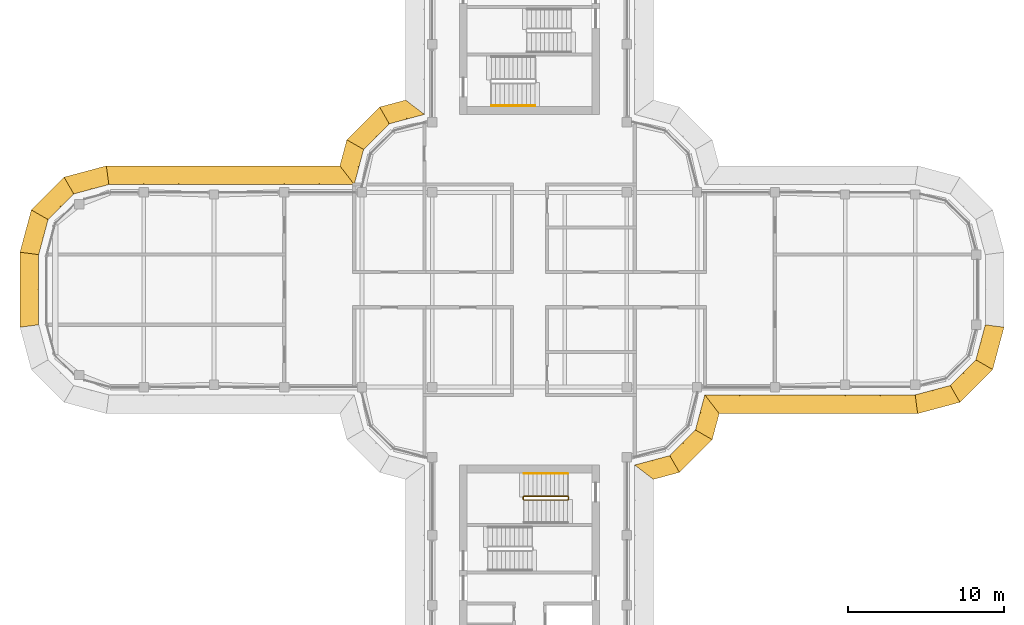
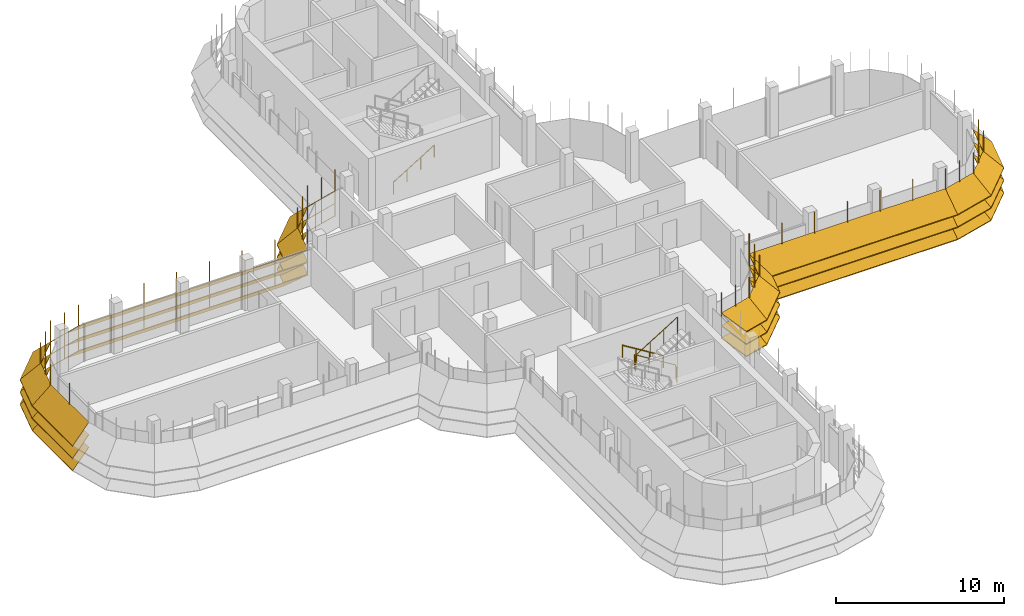
# One storey, part 17 of 19: 7 shading devices, 3 railings.
"""IFC4 building model written with IfcOpenShell, lengths in metres."""

import ifcopenshell
import ifcopenshell.guid

model = None  # the IFC model being written
_history = None  # IfcOwnerHistory: only IFC2X3 demands one
_inside = {}  # id of a spatial element -> (the spatial element, [elements in it])
_under = {}  # id of a project, library or spatial element -> (it, [spatial elements below it])
_declared = {}  # id of a project -> (the project, [libraries it declares])
_typed = {}  # id of a type object -> (the type object, [elements of that type])
_made_of = {}  # id of a material, layer set ... -> (it, [elements and type objects made of it])


def new_model(schema):
    """Start an empty IFC model of exactly this schema.

    Asked for "IFC4X3", IfcOpenShell would pick the latest addendum, in which some entities
    have other attributes; the version numbers below select the first issue.
    IFC2X3 requires an IfcOwnerHistory on every rooted entity: one is made here for all.
    """
    global model, _history
    if schema == "IFC4X3":
        model = ifcopenshell.file(schema_version=(4, 3, 0, 0))
    else:
        model = ifcopenshell.file(schema=schema)
    _inside.clear()
    _under.clear()
    _declared.clear()
    _typed.clear()
    _made_of.clear()
    _history = None
    if model.schema == "IFC2X3":
        org = make("IfcOrganization", Name="unknown")
        user = make(
            "IfcPersonAndOrganization",
            ThePerson=make("IfcPerson", FamilyName="unknown"),
            TheOrganization=org,
        )
        app = make(
            "IfcApplication",
            ApplicationDeveloper=org,
            Version="unknown",
            ApplicationFullName="unknown",
            ApplicationIdentifier="unknown",
        )
        _history = make(
            "IfcOwnerHistory",
            OwningUser=user,
            OwningApplication=app,
            ChangeAction="ADDED",
            CreationDate=0,
        )
    return model


def make(cls, **values):
    """One entity of the class cls with the attributes given. An attribute that is None is left unset."""
    return model.create_entity(
        cls, **{name: value for name, value in values.items() if value is not None}
    )


def rooted(cls, **values):
    """An entity with a GlobalId (a new one), such as an element, a storey or a relation."""
    return make(cls, GlobalId=ifcopenshell.guid.new(), OwnerHistory=_history, **values)


def si_unit(unit_type, name, prefix=None):
    """IfcSIUnit, for example si_unit("LENGTHUNIT", "METRE", prefix="MILLI")."""
    return make("IfcSIUnit", UnitType=unit_type, Prefix=prefix, Name=name)


def assignment(units):
    """IfcUnitAssignment: the units of a project."""
    return None if units is None else make("IfcUnitAssignment", Units=units)


def point(xyz):
    """IfcCartesianPoint."""
    return None if xyz is None else make("IfcCartesianPoint", Coordinates=xyz)


def direction(xyz):
    """IfcDirection."""
    return None if xyz is None else make("IfcDirection", DirectionRatios=xyz)


def frame(location, z_axis=None, x_axis=None):
    """IfcAxis2Placement3D, a coordinate frame: its origin and axes. An axis left out is left unset."""
    return make(
        "IfcAxis2Placement3D",
        Location=point(location),
        Axis=direction(z_axis),
        RefDirection=direction(x_axis),
    )


def frame_2d(location, x_axis=None):
    """IfcAxis2Placement2D, a coordinate frame in the plane: its origin and x axis."""
    return make(
        "IfcAxis2Placement2D", Location=point(location), RefDirection=direction(x_axis)
    )


def origin():
    """The frame at (0, 0, 0) with its axes left unset."""
    return frame((0.0, 0.0, 0.0))


def origin_2d():
    """The frame at (0, 0) in the plane with its x axis left unset."""
    return frame_2d((0.0, 0.0))


def place(relative_to, where):
    """IfcLocalPlacement: puts the frame where relative to a parent placement (None: the world)."""
    return make(
        "IfcLocalPlacement", PlacementRelTo=relative_to, RelativePlacement=where
    )


def context(
    kind, dimensions, precision=None, world=None, true_north=None, identifier=None
):
    """IfcGeometricRepresentationContext, for example the 3D "Model" context."""
    return make(
        "IfcGeometricRepresentationContext",
        ContextIdentifier=identifier,
        ContextType=kind,
        CoordinateSpaceDimension=dimensions,
        Precision=precision,
        WorldCoordinateSystem=world,
        TrueNorth=true_north,
    )


def subcontext(parent, identifier, kind, view, scale=None):
    """IfcGeometricRepresentationSubContext, for example "Body" below "Model"."""
    return make(
        "IfcGeometricRepresentationSubContext",
        ContextIdentifier=identifier,
        ContextType=kind,
        ParentContext=parent,
        TargetScale=scale,
        TargetView=view,
    )


def project(units=None, contexts=None):
    """IfcProject with its units and contexts."""
    return rooted(
        "IfcProject",
        Name="project",
        RepresentationContexts=contexts,
        UnitsInContext=assignment(units),
    )


def spatial(cls, under=None, at=None, **own):
    """A site, building, storey or space (cls), placed at a placement, below another one or the project."""
    s = rooted(cls, ObjectPlacement=at, **own)
    if under is not None:
        _under.setdefault(under.id(), (under, []))[1].append(s)
    return s


def polyline(points):
    """IfcPolyline through the points."""
    return make("IfcPolyline", Points=[point(p) for p in points])


def profile(cls, at=None, kind="AREA", **sizes):
    """A parametric profile (cls). Its sizes go by their IFC names, for example OverallWidth=200.0."""
    return make(cls, ProfileType=kind, Position=at, **sizes)


def circle(**sizes):
    """IfcCircleProfileDef."""
    return profile("IfcCircleProfileDef", **sizes)


def outline(outer, holes=None, kind="AREA"):
    """IfcArbitraryClosedProfileDef: a profile drawn as a closed curve; with holes, ...WithVoids."""
    if holes is None:
        return make("IfcArbitraryClosedProfileDef", ProfileType=kind, OuterCurve=outer)
    return make(
        "IfcArbitraryProfileDefWithVoids",
        ProfileType=kind,
        OuterCurve=outer,
        InnerCurves=holes,
    )


def extrude(swept, where, along, depth):
    """IfcExtrudedAreaSolid: the profile swept, set in the frame where, extruded along a direction by depth."""
    return make(
        "IfcExtrudedAreaSolid",
        SweptArea=swept,
        Position=where,
        ExtrudedDirection=direction(along),
        Depth=depth,
    )


def faces_of(points, faces, orient=None, outer=None):
    """IfcFace entities. A face is a list of loops; a loop is a list of indices into points, from 0.

    orient and outer hold one flag for each loop. By default every Orientation is true, the
    first loop of a face is its IfcFaceOuterBound and the others are IfcFaceBound.
    """
    made = []
    for i, loops in enumerate(faces):
        bounds = []
        for j, loop in enumerate(loops):
            is_outer = j == 0 if outer is None else outer[i][j]
            bounds.append(
                make(
                    "IfcFaceOuterBound" if is_outer else "IfcFaceBound",
                    Bound=make("IfcPolyLoop", Polygon=[points[k] for k in loop]),
                    Orientation=True if orient is None else orient[i][j],
                )
            )
        made.append(make("IfcFace", Bounds=bounds))
    return made


def faceted_brep(points, faces, orient=None, outer=None, voids=None):
    """IfcFacetedBrep: a solid bounded by flat faces; with voids (closed shells), ...WithVoids."""
    shared = [point(p) for p in points]
    hull = make("IfcClosedShell", CfsFaces=faces_of(shared, faces, orient, outer))
    if voids is None:
        return make("IfcFacetedBrep", Outer=hull)
    return make(
        "IfcFacetedBrepWithVoids",
        Outer=hull,
        Voids=[
            make(cls, CfsFaces=faces_of(shared, fs, o, b)) for cls, fs, o, b in voids
        ],
    )


def shape(context_of_items, identifier, shape_type, items):
    """IfcShapeRepresentation: the items that make up one representation, for example the "Body"."""
    return make(
        "IfcShapeRepresentation",
        ContextOfItems=context_of_items,
        RepresentationIdentifier=identifier,
        RepresentationType=shape_type,
        Items=items,
    )


def source(mapping_origin, context_of_items, identifier, shape_type, items):
    """IfcRepresentationMap: a shape defined once, which mapped items show again and again."""
    return make(
        "IfcRepresentationMap",
        MappingOrigin=mapping_origin,
        MappedRepresentation=shape(context_of_items, identifier, shape_type, items),
    )


def transform(
    local_origin,
    x_axis=None,
    y_axis=None,
    z_axis=None,
    scale=None,
    scale2=None,
    scale3=None,
    uniform=True,
):
    """IfcCartesianTransformationOperator3D, or its non-uniform kind. x_axis, y_axis, z_axis: its Axis1, 2, 3."""
    if uniform:
        return make(
            "IfcCartesianTransformationOperator3D",
            Axis1=direction(x_axis),
            Axis2=direction(y_axis),
            LocalOrigin=point(local_origin),
            Scale=scale,
            Axis3=direction(z_axis),
        )
    return make(
        "IfcCartesianTransformationOperator3DnonUniform",
        Axis1=direction(x_axis),
        Axis2=direction(y_axis),
        LocalOrigin=point(local_origin),
        Scale=scale,
        Axis3=direction(z_axis),
        Scale2=scale2,
        Scale3=scale3,
    )


def mapped(mapping_source, mapping_target):
    """IfcMappedItem: shows the shape of a source again, moved by a transform."""
    return make(
        "IfcMappedItem", MappingSource=mapping_source, MappingTarget=mapping_target
    )


def material(Name=None, Category=None):
    """IfcMaterial."""
    return make("IfcMaterial", Name=Name, Category=Category)


def made_of(thing, what):
    """Note that an element or type object is made of a material, layer set ...; save() writes the relation."""
    if what is not None:
        _made_of.setdefault(what.id(), (what, []))[1].append(thing)
    return thing


def type_object(cls, material=None, **own):
    """A type object (cls), such as IfcWallType, which elements share."""
    return made_of(rooted(cls, **own), material)


def element(
    cls,
    number,
    at=None,
    inside=None,
    cuts=None,
    type_object=None,
    material=None,
    context=None,
    identifier="Body",
    shape_type=None,
    held_by="IfcProductDefinitionShape",
    body=None,
    shapes=None,
    **own,
):
    """One element of the class cls, such as IfcWall. Its Tag is "e" and its number.

    at: its placement. inside: the storey or other place that contains it. cuts: it is an
    opening in that element (IfcRelVoidsElement). A single representation is given by context,
    identifier, shape_type and body (its items); several are given by shapes. held_by: the class
    of the entity that holds the representations. save() writes the other relations.
    """
    e = rooted(cls, Tag="e%d" % number, ObjectPlacement=at, **own)
    if body is not None:
        shapes = [shape(context, identifier, shape_type, body)]
    if shapes is not None:
        e.Representation = make(held_by, Representations=shapes)
    if inside is not None:
        _inside.setdefault(inside.id(), (inside, []))[1].append(e)
    if cuts is not None:
        rooted(
            "IfcRelVoidsElement", RelatingBuildingElement=cuts, RelatedOpeningElement=e
        )
    if type_object is not None:
        _typed.setdefault(type_object.id(), (type_object, []))[1].append(e)
    return made_of(e, material)


def aggregate(whole, parts):
    """IfcRelAggregates: a whole, such as a stair, and the parts it consists of."""
    return rooted("IfcRelAggregates", RelatingObject=whole, RelatedObjects=parts)


def save(model, path):
    """Write the relations noted so far, then the file.

    IfcRelAggregates (storeys below a building ...), IfcRelContainedInSpatialStructure (elements
    in a storey), IfcRelDefinesByType, IfcRelAssociatesMaterial and IfcRelDeclares: one each for
    every whole, place, type object, material and project.
    """
    for whole, parts in _under.values():
        aggregate(whole, parts)
    for where, things in _inside.values():
        rooted(
            "IfcRelContainedInSpatialStructure",
            RelatedElements=things,
            RelatingStructure=where,
        )
    for kind, things in _typed.values():
        rooted("IfcRelDefinesByType", RelatedObjects=things, RelatingType=kind)
    for what, things in _made_of.values():
        rooted("IfcRelAssociatesMaterial", RelatedObjects=things, RelatingMaterial=what)
    for by, libraries in _declared.values():
        rooted("IfcRelDeclares", RelatingContext=by, RelatedDefinitions=libraries)
    model.write(path)


model = new_model("IFC4")

# Units and contexts
model_context = context("Model", 3, precision=1e-05, world=origin(), true_north=direction((0.0, 1.0)))
body_context = subcontext(model_context, "Body", "Model", "MODEL_VIEW")
ifc_project = project(units=[si_unit("LENGTHUNIT", "METRE"), si_unit("AREAUNIT", "SQUARE_METRE"), si_unit("VOLUMEUNIT", "CUBIC_METRE"), si_unit("PLANEANGLEUNIT", "RADIAN"), si_unit("MASSUNIT", "GRAM", prefix="KILO")], contexts=[model_context])

# Site, building, storey
site_placement = place(None, origin())
site = spatial("IfcSite", under=ifc_project, at=site_placement, CompositionType="ELEMENT")
building_placement = place(site_placement, origin())
building = spatial("IfcBuilding", under=site, at=building_placement, Name="Zarbagh Exchange Tower", CompositionType="ELEMENT")
storey_placement = place(building_placement, frame((0.0, 0.0, 265.0)))
storey = spatial("IfcBuildingStorey", under=building, at=storey_placement, Name="L65", CompositionType="ELEMENT", Elevation=265.0)

# Railings
ifc_material_1 = material(Name="Stainless steel", Category="steel")
railing_type_1 = type_object("IfcRailingType", Name="Stair guard 1100 mm", PredefinedType="GUARDRAIL", material=ifc_material_1)
railing_1_placement = place(storey_placement, frame((-0.35009765625, -13.5, 2.07275390625)))
element("IfcRailing", 1, at=railing_1_placement, inside=storey, type_object=railing_type_1, Name="ST4 stair guard 1", PredefinedType="GUARDRAIL", context=body_context, shape_type="SweptSolid", body=[
    extrude(circle(Radius=0.02392578125, at=origin_2d()), frame((0.0, 0.0, 1.076171875), z_axis=(0.851089632645, 0.0, 0.525020415988), x_axis=(0.0, 1.0, 0.0)), (0.0, 0.0, 1.0), 3.2900390625),
    extrude(circle(Radius=0.02392578125, at=origin_2d()), frame((2.800048828125, 0.0, 2.80322265625), z_axis=(0.013168290981, 0.013168290981, -0.999826581076), x_axis=(-0.707106781187, 0.707106781187, 0.0)), (0.0, 0.0, 1.0), 3.80078125),
    extrude(circle(Radius=0.02392578125, at=origin_2d()), frame((2.85009765625, 0.050048828125, -0.99658203125), z_axis=(0.0, 1.0, 0.0), x_axis=(-1.0, 0.0, 0.0)), (0.0, 0.0, 1.0), 0.14990234375),
    extrude(circle(Radius=0.02392578125, at=origin_2d()), frame((2.85009765625, 0.199951171875, -0.99658203125), z_axis=(-0.268277960024, 0.268277960024, 0.925231793839), x_axis=(-0.707106781187, -0.707106781187, 0.0)), (0.0, 0.0, 1.0), 0.1865234375),
    extrude(circle(Radius=0.02392578125, at=origin_2d()), frame((2.800048828125, 0.25, -0.82421875), z_axis=(-0.851089632645, 0.0, 0.525020415988), x_axis=(0.0, -1.0, 0.0)), (0.0, 0.0, 1.0), 3.2900390625),
    extrude(circle(Radius=0.02392578125, at=origin_2d()), frame((0.0, 0.25, 0.9033203125), z_axis=(-0.705375805398, -0.708833529934, 0.0), x_axis=(0.708833529934, -0.705375805398, 0.0)), (0.0, 0.0, 1.0), 0.070556640625),
    extrude(circle(Radius=0.02392578125, at=origin_2d()), frame((-0.0498046875, 0.199951171875, 0.9033203125), z_axis=(0.0, -1.0, 0.0), x_axis=(1.0, 0.0, 0.0)), (0.0, 0.0, 1.0), 0.14990234375),
    extrude(circle(Radius=0.02099609375, at=origin_2d()), origin(), (0.0, 0.0, 1.0), 1.052001953125),
    extrude(circle(Radius=0.02099609375, at=origin_2d()), frame((0.933349609375, 0.0, 0.57568359375)), (0.0, 0.0, 1.0), 1.052001953125),
    extrude(circle(Radius=0.02099609375, at=origin_2d()), frame((1.86669921875, 0.0, 1.151611328125)), (0.0, 0.0, 1.0), 1.052001953125),
    extrude(circle(Radius=0.02099609375, at=origin_2d()), frame((2.800048828125, 0.0, 1.727294921875)), (0.0, 0.0, 1.0), 1.052001953125),
    extrude(circle(Radius=0.02099609375, at=origin_2d()), frame((2.8125, 0.012451171875, 0.77734375)), (0.0, 0.0, 1.0), 1.052001953125),
    extrude(circle(Radius=0.02099609375, at=origin_2d()), frame((2.8251953125, 0.02490234375, -0.1728515625)), (0.0, 0.0, 1.0), 1.052001953125),
    extrude(circle(Radius=0.02099609375, at=origin_2d()), frame((2.837646484375, 0.03759765625, -1.122802734375)), (0.0, 0.0, 1.0), 1.052001953125),
    extrude(circle(Radius=0.02099609375, at=origin_2d()), frame((2.85009765625, 0.050048828125, -2.07275390625)), (0.0, 0.0, 1.0), 1.052001953125),
    extrude(circle(Radius=0.02099609375, at=origin_2d()), frame((2.85009765625, 0.199951171875, -2.07275390625)), (0.0, 0.0, 1.0), 1.052001953125),
    extrude(circle(Radius=0.02099609375, at=origin_2d()), frame((2.800048828125, 0.25, -1.900146484375)), (0.0, 0.0, 1.0), 1.052001953125),
    extrude(circle(Radius=0.02099609375, at=origin_2d()), frame((1.86669921875, 0.25, -1.324462890625)), (0.0, 0.0, 1.0), 1.052001953125),
    extrude(circle(Radius=0.02099609375, at=origin_2d()), frame((0.933349609375, 0.25, -0.74853515625)), (0.0, 0.0, 1.0), 1.052001953125),
    extrude(circle(Radius=0.02099609375, at=origin_2d()), frame((0.0, 0.25, -0.1728515625)), (0.0, 0.0, 1.0), 1.052001953125),
    extrude(circle(Radius=0.02099609375, at=origin_2d()), frame((-0.0498046875, 0.199951171875, -0.1728515625)), (0.0, 0.0, 1.0), 1.052001953125),
    extrude(circle(Radius=0.02099609375, at=origin_2d()), frame((-0.0498046875, 0.050048828125, -0.1728515625)), (0.0, 0.0, 1.0), 1.052001953125),
])
railing_type_2 = type_object("IfcRailingType", Name="Stair handrail 900 mm", PredefinedType="HANDRAIL", material=ifc_material_1)
railing_2_placement = place(storey_placement, frame((-2.449951171875, 11.800048828125, 0.172607421875)))
element("IfcRailing", 2, at=railing_2_placement, inside=storey, type_object=railing_type_2, Name="ST2 stair handrail 1", PredefinedType="HANDRAIL", context=body_context, shape_type="SweptSolid", body=[
    extrude(circle(Radius=0.02392578125, at=origin_2d()), frame((0.0, 0.0, 0.8759765625), z_axis=(0.851089632645, 0.0, 0.525020415988), x_axis=(0.0, 1.0, 0.0)), (0.0, 0.0, 1.0), 3.2900390625),
    extrude(circle(Radius=0.02099609375, at=origin_2d()), origin(), (0.0, 0.0, 1.0), 0.851806640625),
    extrude(circle(Radius=0.02099609375, at=origin_2d()), frame((0.933349609375, 0.0, 0.57568359375)), (0.0, 0.0, 1.0), 0.851806640625),
    extrude(circle(Radius=0.02099609375, at=origin_2d()), frame((1.86669921875, 0.0, 1.151611328125)), (0.0, 0.0, 1.0), 0.851806640625),
    extrude(circle(Radius=0.02099609375, at=origin_2d()), frame((2.800048828125, 0.0, 1.727294921875)), (0.0, 0.0, 1.0), 0.851806640625),
])
railing_3_placement = place(storey_placement, frame((2.449951171875, -11.800048828125, 0.172607421875)))
element("IfcRailing", 3, at=railing_3_placement, inside=storey, type_object=railing_type_2, Name="ST4 stair handrail 1", PredefinedType="HANDRAIL", context=body_context, shape_type="SweptSolid", body=[
    extrude(circle(Radius=0.02392578125, at=origin_2d()), frame((0.0, 0.0, 0.8759765625), z_axis=(-0.851089632645, 0.0, 0.525020415988), x_axis=(0.0, -1.0, 0.0)), (0.0, 0.0, 1.0), 3.2900390625),
    extrude(circle(Radius=0.02099609375, at=origin_2d()), origin(), (0.0, 0.0, 1.0), 0.851806640625),
    extrude(circle(Radius=0.02099609375, at=origin_2d()), frame((-0.933349609375, 0.0, 0.57568359375)), (0.0, 0.0, 1.0), 0.851806640625),
    extrude(circle(Radius=0.02099609375, at=origin_2d()), frame((-1.86669921875, 0.0, 1.151611328125)), (0.0, 0.0, 1.0), 0.851806640625),
    extrude(circle(Radius=0.02099609375, at=origin_2d()), frame((-2.800048828125, 0.0, 1.727294921875)), (0.0, 0.0, 1.0), 0.851806640625),
])

# Shading devices
ifc_material_2 = material(Name="Anodised aluminium blades and brackets", Category="aluminium")
shading_device_type = type_object("IfcShadingDeviceType", Name="SUNSHADE louvre band, 45 degree blades", PredefinedType="JALOUSIE", material=ifc_material_2)
shared_shape_1 = source(origin(), body_context, "Body", "Brep", [
    faceted_brep([(0.0, 0.0, 0.0), (0.0, 0.0, -0.056640625), (-0.157958984375, -1.199951171875, -1.256591796875), (-0.157958984375, -1.199951171875, -1.199951171875), (2.65087890625, -1.199951171875, -1.199951171875), (2.65087890625, -1.199951171875, -1.256591796875), (2.329345703125, 0.0, -0.056640625), (2.329345703125, 0.0, 0.0)], [[[0, 1, 2, 3]], [[4, 5, 6, 7]], [[0, 7, 6, 1]], [[1, 6, 5, 2]], [[2, 5, 4, 3]], [[3, 4, 7, 0]]]),
])
shared_shape_2 = source(origin(), body_context, "Body", "Brep", [
    faceted_brep([(0.0, 0.0, 0.0), (0.0, 0.0, -0.056640625), (-0.321533203125, -1.199951171875, -1.256591796875), (-0.321533203125, -1.199951171875, -1.199951171875), (2.65087890625, -1.199951171875, -1.199951171875), (2.65087890625, -1.199951171875, -1.256591796875), (2.329345703125, 0.0, -0.056640625), (2.329345703125, 0.0, 0.0)], [[[0, 1, 2, 3]], [[4, 5, 6, 7]], [[0, 7, 6, 1]], [[1, 6, 5, 2]], [[2, 5, 4, 3]], [[3, 4, 7, 0]]]),
])
shared_shape_3 = source(origin(), body_context, "Body", "Brep", [
    faceted_brep([(0.0, 0.0, 0.0), (0.0, 0.0, -0.056640625), (-0.321533203125, -1.199951171875, -1.256591796875), (-0.321533203125, -1.199951171875, -1.199951171875), (2.4873046875, -1.199951171875, -1.199951171875), (2.4873046875, -1.199951171875, -1.256591796875), (2.329345703125, 0.0, -0.056640625), (2.329345703125, 0.0, 0.0)], [[[0, 1, 2, 3]], [[4, 5, 6, 7]], [[0, 7, 6, 1]], [[1, 6, 5, 2]], [[2, 5, 4, 3]], [[3, 4, 7, 0]]]),
])
shared_shape_4 = source(origin(), body_context, "Body", "SweptSolid", [
    extrude(outline(polyline([(0.0, -0.012451171875), (0.06005859375, -0.012451171875), (0.06005859375, 0.012451171875), (0.0, 0.012451171875), (0.0, -0.012451171875)])), origin(), (0.0, 0.0, 1.0), 3.366455078125),
])
placement = place(storey_placement, origin())
element("IfcShadingDevice", 4, at=placement, inside=storey, type_object=shading_device_type, Name="SS51 sunshade band", PredefinedType="JALOUSIE", context=body_context, shape_type="MappedRepresentation", body=[
    mapped(shared_shape_1, transform((24.75, -6.75, 2.300048828125), x_axis=(0.965924289636, 0.258824779902, 0.0), y_axis=(-0.258824779902, 0.965924289636, 0.0), z_axis=(0.0, 0.0, 1.0))),
    mapped(shared_shape_1, transform((24.75, -6.75, 1.39990234375), x_axis=(0.965924289636, 0.258824779902, 0.0), y_axis=(-0.258824779902, 0.965924289636, 0.0), z_axis=(0.0, 0.0, 1.0))),
    mapped(shared_shape_1, transform((24.75, -6.75, 0.5), x_axis=(0.965924289636, 0.258824779902, 0.0), y_axis=(-0.258824779902, 0.965924289636, 0.0), z_axis=(0.0, 0.0, 1.0))),
    mapped(shared_shape_2, transform((27.0, -6.147216796875, 2.300048828125), x_axis=(0.707106781187, 0.707106781187, 0.0), y_axis=(-0.707106781187, 0.707106781187, 0.0), z_axis=(0.0, 0.0, 1.0))),
    mapped(shared_shape_2, transform((27.0, -6.147216796875, 1.39990234375), x_axis=(0.707106781187, 0.707106781187, 0.0), y_axis=(-0.707106781187, 0.707106781187, 0.0), z_axis=(0.0, 0.0, 1.0))),
    mapped(shared_shape_2, transform((27.0, -6.147216796875, 0.5), x_axis=(0.707106781187, 0.707106781187, 0.0), y_axis=(-0.707106781187, 0.707106781187, 0.0), z_axis=(0.0, 0.0, 1.0))),
    mapped(shared_shape_3, transform((28.647216796875, -4.5, 2.300048828125), x_axis=(0.258824779902, 0.965924289636, 0.0), y_axis=(-0.965924289636, 0.258824779902, 0.0), z_axis=(0.0, 0.0, 1.0))),
    mapped(shared_shape_3, transform((28.647216796875, -4.5, 1.39990234375), x_axis=(0.258824779902, 0.965924289636, 0.0), y_axis=(-0.965924289636, 0.258824779902, 0.0), z_axis=(0.0, 0.0, 1.0))),
    mapped(shared_shape_3, transform((28.647216796875, -4.5, 0.5), x_axis=(0.258824779902, 0.965924289636, 0.0), y_axis=(-0.965924289636, 0.258824779902, 0.0), z_axis=(0.0, 0.0, 1.0))),
    mapped(shared_shape_4, transform((24.75, -6.75, 0.413330078125), x_axis=(0.130529263012, -0.991444457092, 0.0), y_axis=(0.991444457092, 0.130529263012, 0.0), z_axis=(0.0, 0.0, 1.0))),
    mapped(shared_shape_4, transform((25.875, -6.448486328125, 0.413330078125), x_axis=(0.258825058029, -0.96592421511, 0.0), y_axis=(0.96592421511, 0.258825058029, 0.0), z_axis=(0.0, 0.0, 1.0))),
    mapped(shared_shape_4, transform((27.0, -6.147216796875, 0.413330078125), x_axis=(0.50000275701, -0.866023812018, 0.0), y_axis=(0.866023812018, 0.50000275701, 0.0), z_axis=(0.0, 0.0, 1.0))),
    mapped(shared_shape_4, transform((27.823486328125, -5.323486328125, 0.413330078125), x_axis=(0.707106781187, -0.707106781187, 0.0), y_axis=(0.707106781187, 0.707106781187, 0.0), z_axis=(0.0, 0.0, 1.0))),
    mapped(shared_shape_4, transform((28.647216796875, -4.5, 0.413330078125), x_axis=(0.866023812018, -0.50000275701, 0.0), y_axis=(0.50000275701, 0.866023812018, 0.0), z_axis=(0.0, 0.0, 1.0))),
    mapped(shared_shape_4, transform((28.948486328125, -3.375, 0.413330078125), x_axis=(0.96592421511, -0.258825058029, 0.0), y_axis=(0.258825058029, 0.96592421511, 0.0), z_axis=(0.0, 0.0, 1.0))),
])
element("IfcShadingDevice", 5, at=placement, inside=storey, type_object=shading_device_type, Name="SS41 sunshade band", PredefinedType="JALOUSIE", context=body_context, shape_type="MappedRepresentation", body=[
    mapped(shared_shape_1, transform((-27.0, 6.75, 2.300048828125), x_axis=(-0.965924289636, -0.258824779902, 0.0), y_axis=(0.258824779902, -0.965924289636, 0.0), z_axis=(0.0, 0.0, 1.0))),
    mapped(shared_shape_1, transform((-27.0, 6.75, 1.39990234375), x_axis=(-0.965924289636, -0.258824779902, 0.0), y_axis=(0.258824779902, -0.965924289636, 0.0), z_axis=(0.0, 0.0, 1.0))),
    mapped(shared_shape_1, transform((-27.0, 6.75, 0.5), x_axis=(-0.965924289636, -0.258824779902, 0.0), y_axis=(0.258824779902, -0.965924289636, 0.0), z_axis=(0.0, 0.0, 1.0))),
    mapped(shared_shape_2, transform((-29.25, 6.147216796875, 2.300048828125), x_axis=(-0.707106781187, -0.707106781187, 0.0), y_axis=(0.707106781187, -0.707106781187, 0.0), z_axis=(0.0, 0.0, 1.0))),
    mapped(shared_shape_2, transform((-29.25, 6.147216796875, 1.39990234375), x_axis=(-0.707106781187, -0.707106781187, 0.0), y_axis=(0.707106781187, -0.707106781187, 0.0), z_axis=(0.0, 0.0, 1.0))),
    mapped(shared_shape_2, transform((-29.25, 6.147216796875, 0.5), x_axis=(-0.707106781187, -0.707106781187, 0.0), y_axis=(0.707106781187, -0.707106781187, 0.0), z_axis=(0.0, 0.0, 1.0))),
    mapped(shared_shape_3, transform((-30.897216796875, 4.5, 2.300048828125), x_axis=(-0.258824779902, -0.965924289636, 0.0), y_axis=(0.965924289636, -0.258824779902, 0.0), z_axis=(0.0, 0.0, 1.0))),
    mapped(shared_shape_3, transform((-30.897216796875, 4.5, 1.39990234375), x_axis=(-0.258824779902, -0.965924289636, 0.0), y_axis=(0.965924289636, -0.258824779902, 0.0), z_axis=(0.0, 0.0, 1.0))),
    mapped(shared_shape_3, transform((-30.897216796875, 4.5, 0.5), x_axis=(-0.258824779902, -0.965924289636, 0.0), y_axis=(0.965924289636, -0.258824779902, 0.0), z_axis=(0.0, 0.0, 1.0))),
    mapped(shared_shape_4, transform((-27.0, 6.75, 0.413330078125), x_axis=(-0.130529263012, 0.991444457092, 0.0), y_axis=(-0.991444457092, -0.130529263012, 0.0), z_axis=(0.0, 0.0, 1.0))),
    mapped(shared_shape_4, transform((-28.125, 6.448486328125, 0.413330078125), x_axis=(-0.258825058029, 0.96592421511, 0.0), y_axis=(-0.96592421511, -0.258825058029, 0.0), z_axis=(0.0, 0.0, 1.0))),
    mapped(shared_shape_4, transform((-29.25, 6.147216796875, 0.413330078125), x_axis=(-0.50000275701, 0.866023812018, 0.0), y_axis=(-0.866023812018, -0.50000275701, 0.0), z_axis=(0.0, 0.0, 1.0))),
    mapped(shared_shape_4, transform((-30.073486328125, 5.323486328125, 0.413330078125), x_axis=(-0.707106781187, 0.707106781187, 0.0), y_axis=(-0.707106781187, -0.707106781187, 0.0), z_axis=(0.0, 0.0, 1.0))),
    mapped(shared_shape_4, transform((-30.897216796875, 4.5, 0.413330078125), x_axis=(-0.866023812018, 0.50000275701, 0.0), y_axis=(-0.50000275701, -0.866023812018, 0.0), z_axis=(0.0, 0.0, 1.0))),
    mapped(shared_shape_4, transform((-31.198486328125, 3.375, 0.413330078125), x_axis=(-0.96592421511, 0.258825058029, 0.0), y_axis=(-0.258825058029, -0.96592421511, 0.0), z_axis=(0.0, 0.0, 1.0))),
])
shared_shape_5 = source(origin(), body_context, "Body", "Brep", [
    faceted_brep([(0.0, 0.0, 0.0), (0.0, 0.0, -0.056640625), (0.9208984375, -1.199951171875, -1.256591796875), (0.9208984375, -1.199951171875, -1.199951171875), (2.65087890625, -1.199951171875, -1.199951171875), (2.65087890625, -1.199951171875, -1.256591796875), (2.329345703125, 0.0, -0.056640625), (2.329345703125, 0.0, 0.0)], [[[0, 1, 2, 3]], [[4, 5, 6, 7]], [[0, 7, 6, 1]], [[1, 6, 5, 2]], [[2, 5, 4, 3]], [[3, 4, 7, 0]]]),
])
shared_shape_6 = source(origin(), body_context, "Body", "Brep", [
    faceted_brep([(0.0, 0.0, 0.0), (0.0, 0.0, -0.056640625), (-0.321533203125, -1.199951171875, -1.256591796875), (-0.321533203125, -1.199951171875, -1.199951171875), (1.40869140625, -1.199951171875, -1.199951171875), (1.40869140625, -1.199951171875, -1.256591796875), (2.329345703125, 0.0, -0.056640625), (2.329345703125, 0.0, 0.0)], [[[0, 1, 2, 3]], [[4, 5, 6, 7]], [[0, 7, 6, 1]], [[1, 6, 5, 2]], [[2, 5, 4, 3]], [[3, 4, 7, 0]]]),
])
element("IfcShadingDevice", 6, at=placement, inside=storey, type_object=shading_device_type, Name="SS03 sunshade band", PredefinedType="JALOUSIE", context=body_context, shape_type="MappedRepresentation", body=[
    mapped(shared_shape_5, transform((6.75, -11.25, 2.300048828125), x_axis=(0.965924289636, 0.258824779902, 0.0), y_axis=(-0.258824779902, 0.965924289636, 0.0), z_axis=(0.0, 0.0, 1.0))),
    mapped(shared_shape_5, transform((6.75, -11.25, 1.39990234375), x_axis=(0.965924289636, 0.258824779902, 0.0), y_axis=(-0.258824779902, 0.965924289636, 0.0), z_axis=(0.0, 0.0, 1.0))),
    mapped(shared_shape_5, transform((6.75, -11.25, 0.5), x_axis=(0.965924289636, 0.258824779902, 0.0), y_axis=(-0.258824779902, 0.965924289636, 0.0), z_axis=(0.0, 0.0, 1.0))),
    mapped(shared_shape_2, transform((9.0, -10.647216796875, 2.300048828125), x_axis=(0.707106781187, 0.707106781187, 0.0), y_axis=(-0.707106781187, 0.707106781187, 0.0), z_axis=(0.0, 0.0, 1.0))),
    mapped(shared_shape_2, transform((9.0, -10.647216796875, 1.39990234375), x_axis=(0.707106781187, 0.707106781187, 0.0), y_axis=(-0.707106781187, 0.707106781187, 0.0), z_axis=(0.0, 0.0, 1.0))),
    mapped(shared_shape_2, transform((9.0, -10.647216796875, 0.5), x_axis=(0.707106781187, 0.707106781187, 0.0), y_axis=(-0.707106781187, 0.707106781187, 0.0), z_axis=(0.0, 0.0, 1.0))),
    mapped(shared_shape_6, transform((10.647216796875, -9.0, 2.300048828125), x_axis=(0.258824779902, 0.965924289636, 0.0), y_axis=(-0.965924289636, 0.258824779902, 0.0), z_axis=(0.0, 0.0, 1.0))),
    mapped(shared_shape_6, transform((10.647216796875, -9.0, 1.39990234375), x_axis=(0.258824779902, 0.965924289636, 0.0), y_axis=(-0.965924289636, 0.258824779902, 0.0), z_axis=(0.0, 0.0, 1.0))),
    mapped(shared_shape_6, transform((10.647216796875, -9.0, 0.5), x_axis=(0.258824779902, 0.965924289636, 0.0), y_axis=(-0.965924289636, 0.258824779902, 0.0), z_axis=(0.0, 0.0, 1.0))),
    mapped(shared_shape_4, transform((6.75, -11.25, 0.413330078125), x_axis=(0.793355287, -0.608758892, 0.0), y_axis=(0.608758892, 0.793355287, 0.0), z_axis=(0.0, 0.0, 1.0))),
    mapped(shared_shape_4, transform((7.875, -10.948486328125, 0.413330078125), x_axis=(0.258825058029, -0.96592421511, 0.0), y_axis=(0.96592421511, 0.258825058029, 0.0), z_axis=(0.0, 0.0, 1.0))),
    mapped(shared_shape_4, transform((9.0, -10.647216796875, 0.413330078125), x_axis=(0.50000275701, -0.866023812018, 0.0), y_axis=(0.866023812018, 0.50000275701, 0.0), z_axis=(0.0, 0.0, 1.0))),
    mapped(shared_shape_4, transform((9.823486328125, -9.823486328125, 0.413330078125), x_axis=(0.707106781187, -0.707106781187, 0.0), y_axis=(0.707106781187, 0.707106781187, 0.0), z_axis=(0.0, 0.0, 1.0))),
    mapped(shared_shape_4, transform((10.647216796875, -9.0, 0.413330078125), x_axis=(0.866023812018, -0.50000275701, 0.0), y_axis=(0.50000275701, 0.866023812018, 0.0), z_axis=(0.0, 0.0, 1.0))),
    mapped(shared_shape_4, transform((10.948486328125, -7.875, 0.413330078125), x_axis=(0.96592421511, -0.258825058029, 0.0), y_axis=(0.258825058029, 0.96592421511, 0.0), z_axis=(0.0, 0.0, 1.0))),
])
element("IfcShadingDevice", 7, at=placement, inside=storey, type_object=shading_device_type, Name="SS15 sunshade band", PredefinedType="JALOUSIE", context=body_context, shape_type="MappedRepresentation", body=[
    mapped(shared_shape_5, transform((-6.75, 11.25, 2.300048828125), x_axis=(-0.965924289636, -0.258824779902, 0.0), y_axis=(0.258824779902, -0.965924289636, 0.0), z_axis=(0.0, 0.0, 1.0))),
    mapped(shared_shape_5, transform((-6.75, 11.25, 1.39990234375), x_axis=(-0.965924289636, -0.258824779902, 0.0), y_axis=(0.258824779902, -0.965924289636, 0.0), z_axis=(0.0, 0.0, 1.0))),
    mapped(shared_shape_5, transform((-6.75, 11.25, 0.5), x_axis=(-0.965924289636, -0.258824779902, 0.0), y_axis=(0.258824779902, -0.965924289636, 0.0), z_axis=(0.0, 0.0, 1.0))),
    mapped(shared_shape_2, transform((-9.0, 10.647216796875, 2.300048828125), x_axis=(-0.707106781187, -0.707106781187, 0.0), y_axis=(0.707106781187, -0.707106781187, 0.0), z_axis=(0.0, 0.0, 1.0))),
    mapped(shared_shape_2, transform((-9.0, 10.647216796875, 1.39990234375), x_axis=(-0.707106781187, -0.707106781187, 0.0), y_axis=(0.707106781187, -0.707106781187, 0.0), z_axis=(0.0, 0.0, 1.0))),
    mapped(shared_shape_2, transform((-9.0, 10.647216796875, 0.5), x_axis=(-0.707106781187, -0.707106781187, 0.0), y_axis=(0.707106781187, -0.707106781187, 0.0), z_axis=(0.0, 0.0, 1.0))),
    mapped(shared_shape_6, transform((-10.647216796875, 9.0, 2.300048828125), x_axis=(-0.258824779902, -0.965924289636, 0.0), y_axis=(0.965924289636, -0.258824779902, 0.0), z_axis=(0.0, 0.0, 1.0))),
    mapped(shared_shape_6, transform((-10.647216796875, 9.0, 1.39990234375), x_axis=(-0.258824779902, -0.965924289636, 0.0), y_axis=(0.965924289636, -0.258824779902, 0.0), z_axis=(0.0, 0.0, 1.0))),
    mapped(shared_shape_6, transform((-10.647216796875, 9.0, 0.5), x_axis=(-0.258824779902, -0.965924289636, 0.0), y_axis=(0.965924289636, -0.258824779902, 0.0), z_axis=(0.0, 0.0, 1.0))),
    mapped(shared_shape_4, transform((-6.75, 11.25, 0.413330078125), x_axis=(-0.793355287, 0.608758892, 0.0), y_axis=(-0.608758892, -0.793355287, 0.0), z_axis=(0.0, 0.0, 1.0))),
    mapped(shared_shape_4, transform((-7.875, 10.948486328125, 0.413330078125), x_axis=(-0.258825058029, 0.96592421511, 0.0), y_axis=(-0.96592421511, -0.258825058029, 0.0), z_axis=(0.0, 0.0, 1.0))),
    mapped(shared_shape_4, transform((-9.0, 10.647216796875, 0.413330078125), x_axis=(-0.50000275701, 0.866023812018, 0.0), y_axis=(-0.866023812018, -0.50000275701, 0.0), z_axis=(0.0, 0.0, 1.0))),
    mapped(shared_shape_4, transform((-9.823486328125, 9.823486328125, 0.413330078125), x_axis=(-0.707106781187, 0.707106781187, 0.0), y_axis=(-0.707106781187, -0.707106781187, 0.0), z_axis=(0.0, 0.0, 1.0))),
    mapped(shared_shape_4, transform((-10.647216796875, 9.0, 0.413330078125), x_axis=(-0.866023812018, 0.50000275701, 0.0), y_axis=(-0.50000275701, -0.866023812018, 0.0), z_axis=(0.0, 0.0, 1.0))),
    mapped(shared_shape_4, transform((-10.948486328125, 7.875, 0.413330078125), x_axis=(-0.96592421511, 0.258825058029, 0.0), y_axis=(-0.258825058029, -0.96592421511, 0.0), z_axis=(0.0, 0.0, 1.0))),
])
shared_shape_7 = source(origin(), body_context, "Body", "Brep", [
    faceted_brep([(0.0, 0.0, 0.0), (0.0, 0.0, -0.056640625), (0.9208984375, -1.199951171875, -1.256591796875), (0.9208984375, -1.199951171875, -1.199951171875), (13.657958984375, -1.199951171875, -1.199951171875), (13.657958984375, -1.199951171875, -1.256591796875), (13.5, 0.0, -0.056640625), (13.5, 0.0, 0.0)], [[[0, 1, 2, 3]], [[4, 5, 6, 7]], [[0, 7, 6, 1]], [[1, 6, 5, 2]], [[2, 5, 4, 3]], [[3, 4, 7, 0]]]),
])
element("IfcShadingDevice", 8, at=placement, inside=storey, type_object=shading_device_type, Name="SS50 sunshade band", PredefinedType="JALOUSIE", context=body_context, shape_type="MappedRepresentation", body=[
    mapped(shared_shape_7, transform((11.25, -6.75, 2.300048828125), x_axis=(1.0, 0.0, 0.0), y_axis=(0.0, 1.0, 0.0), z_axis=(0.0, 0.0, 1.0))),
    mapped(shared_shape_7, transform((11.25, -6.75, 1.39990234375), x_axis=(1.0, 0.0, 0.0), y_axis=(0.0, 1.0, 0.0), z_axis=(0.0, 0.0, 1.0))),
    mapped(shared_shape_7, transform((11.25, -6.75, 0.5), x_axis=(1.0, 0.0, 0.0), y_axis=(0.0, 1.0, 0.0), z_axis=(0.0, 0.0, 1.0))),
    mapped(shared_shape_4, transform((11.25, -6.75, 0.413330078125), x_axis=(0.608758892, -0.793355287, 0.0), y_axis=(0.793355287, 0.608758892, 0.0), z_axis=(0.0, 0.0, 1.0))),
    mapped(shared_shape_4, transform((13.5, -6.75, 0.413330078125), x_axis=(0.0, -1.0, 0.0), y_axis=(1.0, 0.0, 0.0), z_axis=(0.0, 0.0, 1.0))),
    mapped(shared_shape_4, transform((15.75, -6.75, 0.413330078125), x_axis=(0.0, -1.0, 0.0), y_axis=(1.0, 0.0, 0.0), z_axis=(0.0, 0.0, 1.0))),
    mapped(shared_shape_4, transform((18.0, -6.75, 0.413330078125), x_axis=(0.0, -1.0, 0.0), y_axis=(1.0, 0.0, 0.0), z_axis=(0.0, 0.0, 1.0))),
    mapped(shared_shape_4, transform((20.25, -6.75, 0.413330078125), x_axis=(0.0, -1.0, 0.0), y_axis=(1.0, 0.0, 0.0), z_axis=(0.0, 0.0, 1.0))),
    mapped(shared_shape_4, transform((22.5, -6.75, 0.413330078125), x_axis=(0.0, -1.0, 0.0), y_axis=(1.0, 0.0, 0.0), z_axis=(0.0, 0.0, 1.0))),
])
shared_shape_8 = source(origin(), body_context, "Body", "Brep", [
    faceted_brep([(0.0, 0.0, 0.0), (0.0, 0.0, -0.056640625), (0.9208984375, -1.199951171875, -1.256591796875), (0.9208984375, -1.199951171875, -1.199951171875), (15.907958984375, -1.199951171875, -1.199951171875), (15.907958984375, -1.199951171875, -1.256591796875), (15.75, 0.0, -0.056640625), (15.75, 0.0, 0.0)], [[[0, 1, 2, 3]], [[4, 5, 6, 7]], [[0, 7, 6, 1]], [[1, 6, 5, 2]], [[2, 5, 4, 3]], [[3, 4, 7, 0]]]),
])
element("IfcShadingDevice", 9, at=placement, inside=storey, type_object=shading_device_type, Name="SS40 sunshade band", PredefinedType="JALOUSIE", context=body_context, shape_type="MappedRepresentation", body=[
    mapped(shared_shape_8, transform((-11.25, 6.75, 2.300048828125), x_axis=(-1.0, 0.0, 0.0), y_axis=(0.0, -1.0, 0.0), z_axis=(0.0, 0.0, 1.0))),
    mapped(shared_shape_8, transform((-11.25, 6.75, 1.39990234375), x_axis=(-1.0, 0.0, 0.0), y_axis=(0.0, -1.0, 0.0), z_axis=(0.0, 0.0, 1.0))),
    mapped(shared_shape_8, transform((-11.25, 6.75, 0.5), x_axis=(-1.0, 0.0, 0.0), y_axis=(0.0, -1.0, 0.0), z_axis=(0.0, 0.0, 1.0))),
    mapped(shared_shape_4, transform((-11.25, 6.75, 0.413330078125), x_axis=(-0.608758892, 0.793355287, 0.0), y_axis=(-0.793355287, -0.608758892, 0.0), z_axis=(0.0, 0.0, 1.0))),
    mapped(shared_shape_4, transform((-13.5, 6.75, 0.413330078125), x_axis=(0.0, 1.0, 0.0), y_axis=(-1.0, 0.0, 0.0), z_axis=(0.0, 0.0, 1.0))),
    mapped(shared_shape_4, transform((-15.75, 6.75, 0.413330078125), x_axis=(0.0, 1.0, 0.0), y_axis=(-1.0, 0.0, 0.0), z_axis=(0.0, 0.0, 1.0))),
    mapped(shared_shape_4, transform((-18.0, 6.75, 0.413330078125), x_axis=(0.0, 1.0, 0.0), y_axis=(-1.0, 0.0, 0.0), z_axis=(0.0, 0.0, 1.0))),
    mapped(shared_shape_4, transform((-20.25, 6.75, 0.413330078125), x_axis=(0.0, 1.0, 0.0), y_axis=(-1.0, 0.0, 0.0), z_axis=(0.0, 0.0, 1.0))),
    mapped(shared_shape_4, transform((-22.5, 6.75, 0.413330078125), x_axis=(0.0, 1.0, 0.0), y_axis=(-1.0, 0.0, 0.0), z_axis=(0.0, 0.0, 1.0))),
    mapped(shared_shape_4, transform((-24.75, 6.75, 0.413330078125), x_axis=(0.0, 1.0, 0.0), y_axis=(-1.0, 0.0, 0.0), z_axis=(0.0, 0.0, 1.0))),
])
shared_shape_9 = source(origin(), body_context, "Body", "Brep", [
    faceted_brep([(0.0, 0.0, 0.0), (0.0, 0.0, -0.056640625), (-0.157958984375, -1.199951171875, -1.256591796875), (-0.157958984375, -1.199951171875, -1.199951171875), (4.657958984375, -1.199951171875, -1.199951171875), (4.657958984375, -1.199951171875, -1.256591796875), (4.5, 0.0, -0.056640625), (4.5, 0.0, 0.0)], [[[0, 1, 2, 3]], [[4, 5, 6, 7]], [[0, 7, 6, 1]], [[1, 6, 5, 2]], [[2, 5, 4, 3]], [[3, 4, 7, 0]]]),
])
element("IfcShadingDevice", 10, at=placement, inside=storey, type_object=shading_device_type, Name="SS42 sunshade band", PredefinedType="JALOUSIE", context=body_context, shape_type="MappedRepresentation", body=[
    mapped(shared_shape_9, transform((-31.5, 2.25, 2.300048828125), x_axis=(0.0, -1.0, 0.0), y_axis=(1.0, 0.0, 0.0), z_axis=(0.0, 0.0, 1.0))),
    mapped(shared_shape_9, transform((-31.5, 2.25, 1.39990234375), x_axis=(0.0, -1.0, 0.0), y_axis=(1.0, 0.0, 0.0), z_axis=(0.0, 0.0, 1.0))),
    mapped(shared_shape_9, transform((-31.5, 2.25, 0.5), x_axis=(0.0, -1.0, 0.0), y_axis=(1.0, 0.0, 0.0), z_axis=(0.0, 0.0, 1.0))),
    mapped(shared_shape_4, transform((-31.5, 2.25, 0.413330078125), x_axis=(-0.991444457092, 0.130529263012, 0.0), y_axis=(-0.130529263012, -0.991444457092, 0.0), z_axis=(0.0, 0.0, 1.0))),
    mapped(shared_shape_4, transform((-31.5, 0.0, 0.413330078125), x_axis=(-1.0, 0.0, 0.0), y_axis=(0.0, -1.0, 0.0), z_axis=(0.0, 0.0, 1.0))),
])

save(model, "model.ifc")
